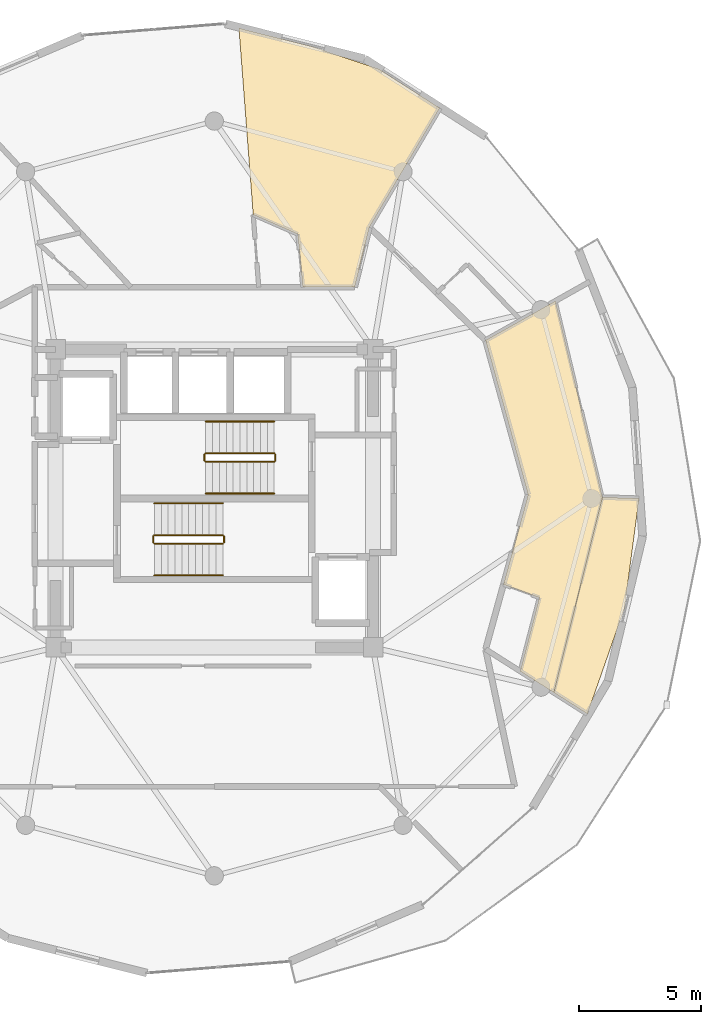
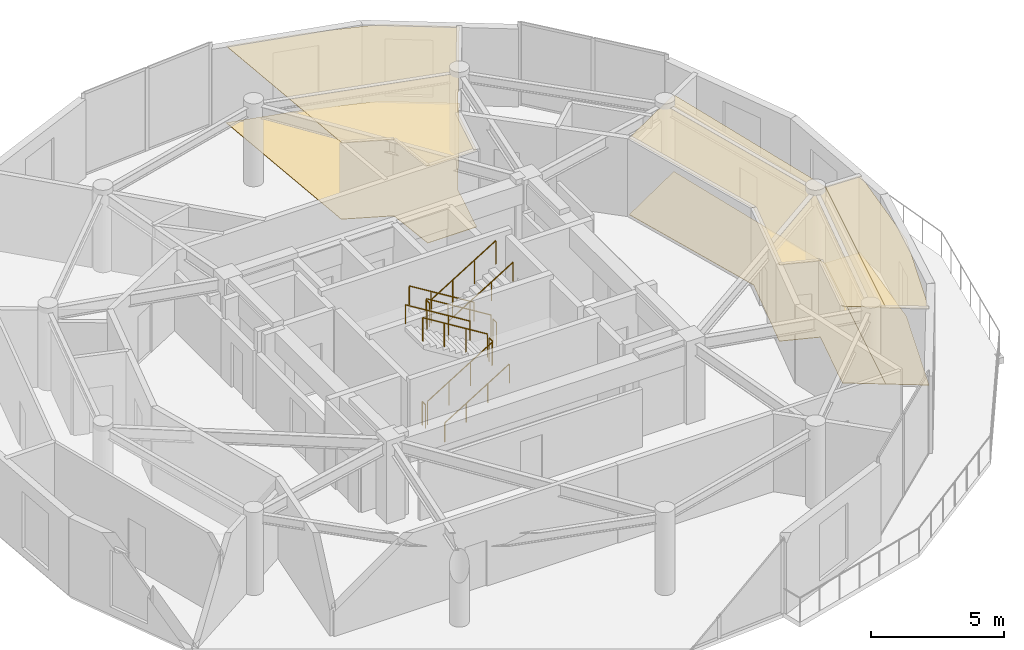
# One storey, part 22 of 22: 12 railings, 6 coverings.
"""IFC4 building model written with IfcOpenShell, lengths in metres."""

from ifc_helpers import new_model, si_unit, direction, frame, origin, origin_2d, place, context, subcontext, project, spatial, polyline, circle, outline, extrude, material, layer, layer_set, type_object, element, save


model = new_model("IFC4")

# Units and contexts
model_context = context("Model", 3, precision=1e-05, world=origin(), true_north=direction((0.0, 1.0)))
body_context = subcontext(model_context, "Body", "Model", "MODEL_VIEW")
ifc_project = project(units=[si_unit("LENGTHUNIT", "METRE"), si_unit("AREAUNIT", "SQUARE_METRE"), si_unit("VOLUMEUNIT", "CUBIC_METRE"), si_unit("PLANEANGLEUNIT", "RADIAN"), si_unit("MASSUNIT", "GRAM", prefix="KILO")], contexts=[model_context])

# Site, building, storey
site_placement = place(None, origin())
site = spatial("IfcSite", under=ifc_project, at=site_placement, CompositionType="ELEMENT")
building_placement = place(site_placement, origin())
building = spatial("IfcBuilding", under=site, at=building_placement, Name="Solvirekh Grand Hotel", CompositionType="ELEMENT")
storey_placement = place(building_placement, frame((0.0, 0.0, 293.39990234375)))
storey = spatial("IfcBuildingStorey", under=building, at=storey_placement, Name="L76", CompositionType="ELEMENT", Elevation=293.39990234375)

# Coverings
ifc_material_1 = material(Name="Acoustic Mineral Ceiling Tile")
ifc_layer_1 = layer(ifc_material_1, 0.02490234375)
ifc_layer_set_1 = layer_set([ifc_layer_1], Name="Acoustic Mineral Ceiling Tile")
covering_type_1 = type_object("IfcCoveringType", Name="Cov_Ceiling_Acoustic", PredefinedType="CEILING", material=ifc_layer_set_1)
covering_1_placement = place(storey_placement, frame((0.0, 0.0, 3.52001953125)))
element("IfcCovering", 1, at=covering_1_placement, inside=storey, type_object=covering_type_1, Name="L76 Deluxe Guestroom 7801 acoustic ceiling", PredefinedType="CEILING", context=body_context, shape_type="SweptSolid", body=[
    extrude(outline(polyline([(1.820068359375, 8.64990234375), (1.593017578125, 11.618896484375), (3.41796875, 10.821044921875), (3.6279296875, 8.64990234375), (5.75, 8.64990234375), (6.35009765625, 11.10498046875), (9.22998046875, 15.986083984375), (6.7470703125, 17.576904296875), (3.93701171875, 18.52001953125), (1.009033203125, 19.2548828125), (1.820068359375, 8.64990234375)])), origin(), (0.0, 0.0, 1.0), 0.01806640625),
])
covering_2_placement = place(storey_placement, frame((0.0, 0.0, 3.52001953125)))
element("IfcCovering", 2, at=covering_2_placement, inside=storey, type_object=covering_type_1, Name="L76 Executive Suite 7804 Living Room acoustic ceiling", PredefinedType="CEILING", context=body_context, shape_type="SweptSolid", body=[
    extrude(outline(polyline([(13.31005859375, -4.06103515625), (12.52490234375, -7.073974609375), (13.90087890625, -7.947021484375), (15.89208984375, 0.049072265625), (13.968017578125, 8.0849609375), (11.10791015625, 6.47509765625), (12.85009765625, 0.14990234375), (11.840087890625, -3.51806640625), (13.31005859375, -4.06103515625)])), origin(), (0.0, 0.0, 1.0), 0.01806640625),
])
covering_3_placement = place(storey_placement, frame((0.0, 0.0, 3.52001953125)))
element("IfcCovering", 3, at=covering_3_placement, inside=storey, type_object=covering_type_1, Name="L76 Executive Suite 7804 Master Bedroom acoustic ceiling", PredefinedType="CEILING", context=body_context, shape_type="SweptSolid", body=[
    extrude(outline(polyline([(15.27587890625, -8.820068359375), (16.7919921875, -4.4990234375), (17.389892578125, 0.0), (15.89208984375, 0.049072265625), (13.90087890625, -7.947021484375), (15.27587890625, -8.820068359375)])), origin(), (0.0, 0.0, 1.0), 0.01806640625),
])
ifc_material_2 = material(Name="Porcelain Stoneware Flooring", Category="masonry")
ifc_layer_2 = layer(ifc_material_2, 0.030029296875)
ifc_layer_set_2 = layer_set([ifc_layer_2], Name="Porcelain Stoneware Flooring")
covering_type_2 = type_object("IfcCoveringType", Name="Cov_Floor_Stone", PredefinedType="FLOORING", material=ifc_layer_set_2)
covering_4_placement = place(storey_placement, origin())
element("IfcCovering", 4, at=covering_4_placement, inside=storey, type_object=covering_type_2, Name="L76 Deluxe Guestroom 7801 polished granite flooring", PredefinedType="FLOORING", context=body_context, shape_type="SweptSolid", body=[
    extrude(outline(polyline([(1.820068359375, 8.64990234375), (1.593017578125, 11.618896484375), (3.41796875, 10.821044921875), (3.6279296875, 8.64990234375), (5.75, 8.64990234375), (6.35009765625, 11.10498046875), (9.22998046875, 15.986083984375), (6.7470703125, 17.576904296875), (3.93701171875, 18.52001953125), (1.009033203125, 19.2548828125), (1.820068359375, 8.64990234375)])), origin(), (0.0, 0.0, 1.0), 0.02001953125),
])
covering_5_placement = place(storey_placement, origin())
element("IfcCovering", 5, at=covering_5_placement, inside=storey, type_object=covering_type_2, Name="L76 Executive Suite 7804 Living Room polished granite flooring", PredefinedType="FLOORING", context=body_context, shape_type="SweptSolid", body=[
    extrude(outline(polyline([(13.31005859375, -4.06103515625), (12.52490234375, -7.073974609375), (13.90087890625, -7.947021484375), (15.89208984375, 0.049072265625), (13.968017578125, 8.0849609375), (11.10791015625, 6.47509765625), (12.85009765625, 0.14990234375), (11.840087890625, -3.51806640625), (13.31005859375, -4.06103515625)])), origin(), (0.0, 0.0, 1.0), 0.02001953125),
])
covering_6_placement = place(storey_placement, origin())
element("IfcCovering", 6, at=covering_6_placement, inside=storey, type_object=covering_type_2, Name="L76 Executive Suite 7804 Master Bedroom polished granite flooring", PredefinedType="FLOORING", context=body_context, shape_type="SweptSolid", body=[
    extrude(outline(polyline([(15.27587890625, -8.820068359375), (16.7919921875, -4.4990234375), (17.389892578125, 0.0), (15.89208984375, 0.049072265625), (13.90087890625, -7.947021484375), (15.27587890625, -8.820068359375)])), origin(), (0.0, 0.0, 1.0), 0.02001953125),
])

# Railings
ifc_material_3 = material(Name="Steel S355", Category="steel")
railing_type_1 = type_object("IfcRailingType", Name="Guard_Stair_1100", PredefinedType="GUARDRAIL", material=ifc_material_3)
railing_1_placement = place(storey_placement, frame((-2.449951171875, -1.85009765625, 0.1728515625)))
element("IfcRailing", 7, at=railing_1_placement, inside=storey, type_object=railing_type_1, Name="L76 ST-1 stair guard 1", PredefinedType="GUARDRAIL", context=body_context, shape_type="SweptSolid", body=[
    extrude(circle(Radius=0.02392578125, at=origin_2d()), frame((0.0, 0.0, 1.076171875), z_axis=(0.851089632645, 0.0, 0.525020415988), x_axis=(0.0, 1.0, 0.0)), (0.0, 0.0, 1.0), 3.2900390625),
    extrude(circle(Radius=0.02099609375, at=origin_2d()), origin(), (0.0, 0.0, 1.0), 1.052001953125),
    extrude(circle(Radius=0.02099609375, at=origin_2d()), frame((0.933349609375, 0.0, 0.57568359375)), (0.0, 0.0, 1.0), 1.052001953125),
    extrude(circle(Radius=0.02099609375, at=origin_2d()), frame((1.86669921875, 0.0, 1.151611328125)), (0.0, 0.0, 1.0), 1.052001953125),
    extrude(circle(Radius=0.02099609375, at=origin_2d()), frame((2.800048828125, 0.0, 1.727294921875)), (0.0, 0.0, 1.0), 1.052001953125),
])
railing_2_placement = place(storey_placement, frame((0.39990234375, -1.800048828125, 1.900146484375)))
element("IfcRailing", 8, at=railing_2_placement, inside=storey, type_object=railing_type_1, Name="L76 ST-1 stair guard 2", PredefinedType="GUARDRAIL", context=body_context, shape_type="SweptSolid", body=[
    extrude(circle(Radius=0.02392578125, at=origin_2d()), frame((0.0, 0.0, 1.076171875), z_axis=(0.0, 1.0, 0.0), x_axis=(-1.0, 0.0, 0.0)), (0.0, 0.0, 1.0), 0.25),
    extrude(circle(Radius=0.02099609375, at=origin_2d()), origin(), (0.0, 0.0, 1.0), 1.052001953125),
    extrude(circle(Radius=0.02099609375, at=origin_2d()), frame((0.0, 0.25, 0.0)), (0.0, 0.0, 1.0), 1.052001953125),
])
railing_3_placement = place(storey_placement, frame((0.35009765625, -1.5, 2.07275390625)))
element("IfcRailing", 9, at=railing_3_placement, inside=storey, type_object=railing_type_1, Name="L76 ST-1 stair guard 3", PredefinedType="GUARDRAIL", context=body_context, shape_type="SweptSolid", body=[
    extrude(circle(Radius=0.02392578125, at=origin_2d()), frame((0.0, 0.0, 1.076171875), z_axis=(-0.851089632645, 0.0, 0.525020415988), x_axis=(0.0, -1.0, 0.0)), (0.0, 0.0, 1.0), 3.2900390625),
    extrude(circle(Radius=0.02099609375, at=origin_2d()), origin(), (0.0, 0.0, 1.0), 1.052001953125),
    extrude(circle(Radius=0.02099609375, at=origin_2d()), frame((-0.933349609375, 0.0, 0.57568359375)), (0.0, 0.0, 1.0), 1.052001953125),
    extrude(circle(Radius=0.02099609375, at=origin_2d()), frame((-1.86669921875, 0.0, 1.151611328125)), (0.0, 0.0, 1.0), 1.052001953125),
    extrude(circle(Radius=0.02099609375, at=origin_2d()), frame((-2.800048828125, 0.0, 1.727294921875)), (0.0, 0.0, 1.0), 1.052001953125),
])
railing_4_placement = place(storey_placement, frame((-2.5, -1.800048828125, 0.0)))
element("IfcRailing", 10, at=railing_4_placement, inside=storey, type_object=railing_type_1, Name="L76 ST-1 stair guard 4", PredefinedType="GUARDRAIL", context=body_context, shape_type="SweptSolid", body=[
    extrude(circle(Radius=0.02392578125, at=origin_2d()), frame((0.0, 0.0, 1.076171875), z_axis=(0.0, 1.0, 0.0), x_axis=(-1.0, 0.0, 0.0)), (0.0, 0.0, 1.0), 0.25),
    extrude(circle(Radius=0.02099609375, at=origin_2d()), origin(), (0.0, 0.0, 1.0), 1.052001953125),
    extrude(circle(Radius=0.02099609375, at=origin_2d()), frame((0.0, 0.25, 0.0)), (0.0, 0.0, 1.0), 1.052001953125),
])
railing_5_placement = place(storey_placement, frame((2.449951171875, 1.85009765625, 0.1728515625)))
element("IfcRailing", 11, at=railing_5_placement, inside=storey, type_object=railing_type_1, Name="L76 ST-2 stair guard 1", PredefinedType="GUARDRAIL", context=body_context, shape_type="SweptSolid", body=[
    extrude(circle(Radius=0.02392578125, at=origin_2d()), frame((0.0, 0.0, 1.076171875), z_axis=(-0.851089632645, 0.0, 0.525020415988), x_axis=(0.0, -1.0, 0.0)), (0.0, 0.0, 1.0), 3.2900390625),
    extrude(circle(Radius=0.02099609375, at=origin_2d()), origin(), (0.0, 0.0, 1.0), 1.052001953125),
    extrude(circle(Radius=0.02099609375, at=origin_2d()), frame((-0.933349609375, 0.0, 0.57568359375)), (0.0, 0.0, 1.0), 1.052001953125),
    extrude(circle(Radius=0.02099609375, at=origin_2d()), frame((-1.86669921875, 0.0, 1.151611328125)), (0.0, 0.0, 1.0), 1.052001953125),
    extrude(circle(Radius=0.02099609375, at=origin_2d()), frame((-2.800048828125, 0.0, 1.727294921875)), (0.0, 0.0, 1.0), 1.052001953125),
])
railing_6_placement = place(storey_placement, frame((-0.39990234375, 1.800048828125, 1.900146484375)))
element("IfcRailing", 12, at=railing_6_placement, inside=storey, type_object=railing_type_1, Name="L76 ST-2 stair guard 2", PredefinedType="GUARDRAIL", context=body_context, shape_type="SweptSolid", body=[
    extrude(circle(Radius=0.02392578125, at=origin_2d()), frame((0.0, 0.0, 1.076171875), z_axis=(0.0, -1.0, 0.0), x_axis=(1.0, 0.0, 0.0)), (0.0, 0.0, 1.0), 0.25),
    extrude(circle(Radius=0.02099609375, at=origin_2d()), origin(), (0.0, 0.0, 1.0), 1.052001953125),
    extrude(circle(Radius=0.02099609375, at=origin_2d()), frame((0.0, -0.25, 0.0)), (0.0, 0.0, 1.0), 1.052001953125),
])
railing_7_placement = place(storey_placement, frame((-0.35009765625, 1.5, 2.07275390625)))
element("IfcRailing", 13, at=railing_7_placement, inside=storey, type_object=railing_type_1, Name="L76 ST-2 stair guard 3", PredefinedType="GUARDRAIL", context=body_context, shape_type="SweptSolid", body=[
    extrude(circle(Radius=0.02392578125, at=origin_2d()), frame((0.0, 0.0, 1.076171875), z_axis=(0.851089632645, 0.0, 0.525020415988), x_axis=(0.0, 1.0, 0.0)), (0.0, 0.0, 1.0), 3.2900390625),
    extrude(circle(Radius=0.02099609375, at=origin_2d()), origin(), (0.0, 0.0, 1.0), 1.052001953125),
    extrude(circle(Radius=0.02099609375, at=origin_2d()), frame((0.933349609375, 0.0, 0.57568359375)), (0.0, 0.0, 1.0), 1.052001953125),
    extrude(circle(Radius=0.02099609375, at=origin_2d()), frame((1.86669921875, 0.0, 1.151611328125)), (0.0, 0.0, 1.0), 1.052001953125),
    extrude(circle(Radius=0.02099609375, at=origin_2d()), frame((2.800048828125, 0.0, 1.727294921875)), (0.0, 0.0, 1.0), 1.052001953125),
])
railing_8_placement = place(storey_placement, frame((2.5, 1.800048828125, 0.0)))
element("IfcRailing", 14, at=railing_8_placement, inside=storey, type_object=railing_type_1, Name="L76 ST-2 stair guard 4", PredefinedType="GUARDRAIL", context=body_context, shape_type="SweptSolid", body=[
    extrude(circle(Radius=0.02392578125, at=origin_2d()), frame((0.0, 0.0, 1.076171875), z_axis=(0.0, -1.0, 0.0), x_axis=(1.0, 0.0, 0.0)), (0.0, 0.0, 1.0), 0.25),
    extrude(circle(Radius=0.02099609375, at=origin_2d()), origin(), (0.0, 0.0, 1.0), 1.052001953125),
    extrude(circle(Radius=0.02099609375, at=origin_2d()), frame((0.0, -0.25, 0.0)), (0.0, 0.0, 1.0), 1.052001953125),
])
ifc_material_4 = material(Name="Anodized Bronze Aluminium 6063-T6", Category="aluminium")
railing_type_2 = type_object("IfcRailingType", Name="Handrail_Wall_900", PredefinedType="HANDRAIL", material=ifc_material_4)
railing_9_placement = place(storey_placement, frame((-2.449951171875, -3.14990234375, 0.1728515625)))
element("IfcRailing", 15, at=railing_9_placement, inside=storey, type_object=railing_type_2, Name="L76 ST-1 stair handrail 1", PredefinedType="HANDRAIL", context=body_context, shape_type="SweptSolid", body=[
    extrude(circle(Radius=0.02392578125, at=origin_2d()), frame((0.0, 0.0, 0.8759765625), z_axis=(0.851089632645, 0.0, 0.525020415988), x_axis=(0.0, 1.0, 0.0)), (0.0, 0.0, 1.0), 3.2900390625),
    extrude(circle(Radius=0.02099609375, at=origin_2d()), origin(), (0.0, 0.0, 1.0), 0.851806640625),
    extrude(circle(Radius=0.02099609375, at=origin_2d()), frame((0.933349609375, 0.0, 0.57568359375)), (0.0, 0.0, 1.0), 0.851806640625),
    extrude(circle(Radius=0.02099609375, at=origin_2d()), frame((1.86669921875, 0.0, 1.151611328125)), (0.0, 0.0, 1.0), 0.851806640625),
    extrude(circle(Radius=0.02099609375, at=origin_2d()), frame((2.800048828125, 0.0, 1.727294921875)), (0.0, 0.0, 1.0), 0.851806640625),
])
for number, where, name in (
    (16, (0.35009765625, -0.199951171875, 2.07275390625), "L76 ST-1 stair handrail 2"),
    (17, (2.449951171875, 3.14990234375, 0.1728515625), "L76 ST-2 stair handrail 1"),
):
    element("IfcRailing", number, at=place(storey_placement, frame(where)), inside=storey, type_object=railing_type_2, Name=name, PredefinedType="HANDRAIL", context=body_context, shape_type="SweptSolid", body=[
        extrude(circle(Radius=0.02392578125, at=origin_2d()), frame((0.0, 0.0, 0.8759765625), z_axis=(-0.851089632645, 0.0, 0.525020415988), x_axis=(0.0, -1.0, 0.0)), (0.0, 0.0, 1.0), 3.2900390625),
        extrude(circle(Radius=0.02099609375, at=origin_2d()), origin(), (0.0, 0.0, 1.0), 0.851806640625),
        extrude(circle(Radius=0.02099609375, at=origin_2d()), frame((-0.933349609375, 0.0, 0.57568359375)), (0.0, 0.0, 1.0), 0.851806640625),
        extrude(circle(Radius=0.02099609375, at=origin_2d()), frame((-1.86669921875, 0.0, 1.151611328125)), (0.0, 0.0, 1.0), 0.851806640625),
        extrude(circle(Radius=0.02099609375, at=origin_2d()), frame((-2.800048828125, 0.0, 1.727294921875)), (0.0, 0.0, 1.0), 0.851806640625),
    ])
railing_10_placement = place(storey_placement, frame((-0.35009765625, 0.199951171875, 2.07275390625)))
element("IfcRailing", 18, at=railing_10_placement, inside=storey, type_object=railing_type_2, Name="L76 ST-2 stair handrail 2", PredefinedType="HANDRAIL", context=body_context, shape_type="SweptSolid", body=[
    extrude(circle(Radius=0.02392578125, at=origin_2d()), frame((0.0, 0.0, 0.8759765625), z_axis=(0.851089632645, 0.0, 0.525020415988), x_axis=(0.0, 1.0, 0.0)), (0.0, 0.0, 1.0), 3.2900390625),
    extrude(circle(Radius=0.02099609375, at=origin_2d()), origin(), (0.0, 0.0, 1.0), 0.851806640625),
    extrude(circle(Radius=0.02099609375, at=origin_2d()), frame((0.933349609375, 0.0, 0.57568359375)), (0.0, 0.0, 1.0), 0.851806640625),
    extrude(circle(Radius=0.02099609375, at=origin_2d()), frame((1.86669921875, 0.0, 1.151611328125)), (0.0, 0.0, 1.0), 0.851806640625),
    extrude(circle(Radius=0.02099609375, at=origin_2d()), frame((2.800048828125, 0.0, 1.727294921875)), (0.0, 0.0, 1.0), 0.851806640625),
])

save(model, "model.ifc")
